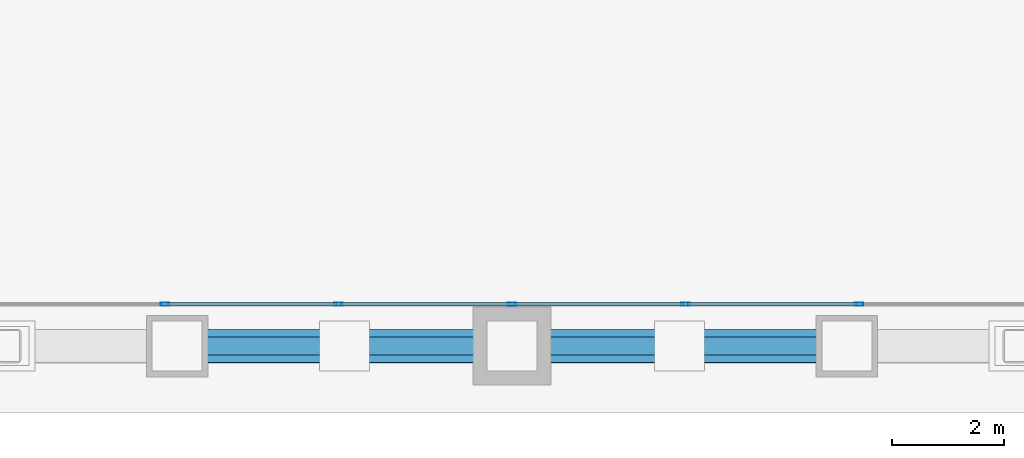
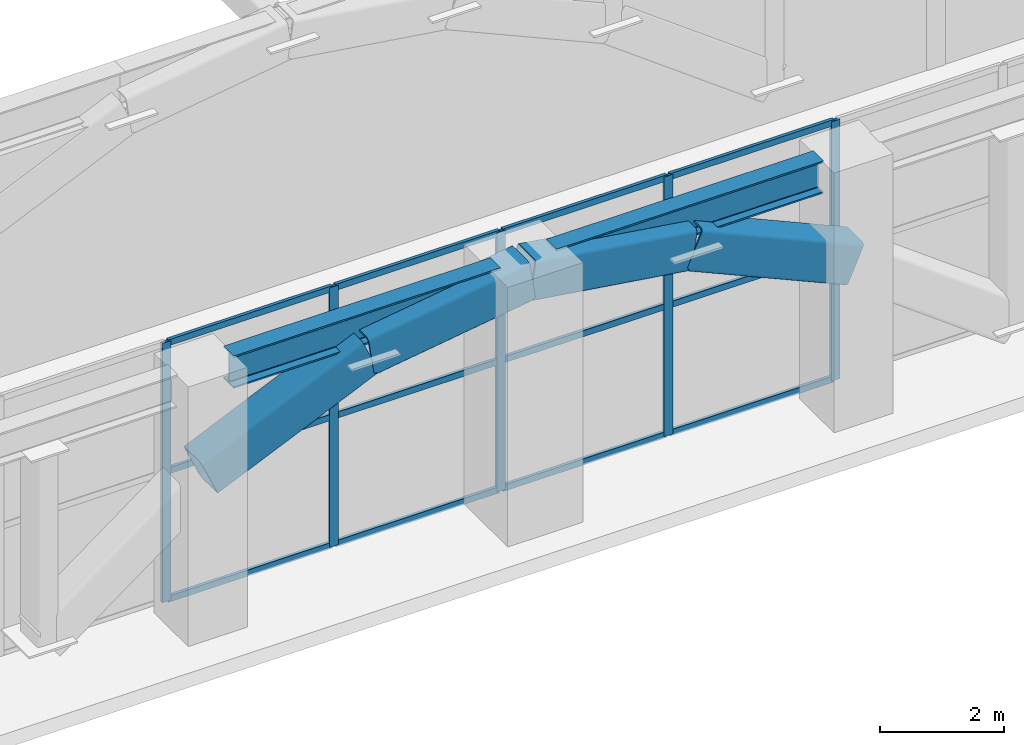
# One storey, part 7 of 32: 21 members, 2 beams, 1 element without a shape of its own.
"""IFC4 building model written with IfcOpenShell, lengths in metres."""

from ifc_helpers import new_model, si_unit, direction, frame, origin, origin_2d, place, context, subcontext, project, spatial, hollow_rectangle, i_section, extrude, material, layer, layer_set, material_profile, profile_set, type_object, element, aggregate, save


model = new_model("IFC4")

# Units and contexts
model_context = context("Model", 3, precision=1e-05, world=origin(), true_north=direction((0.0, 1.0)))
body_context = subcontext(model_context, "Body", "Model", "MODEL_VIEW")
ifc_project = project(units=[si_unit("LENGTHUNIT", "METRE"), si_unit("AREAUNIT", "SQUARE_METRE"), si_unit("VOLUMEUNIT", "CUBIC_METRE"), si_unit("PLANEANGLEUNIT", "RADIAN"), si_unit("MASSUNIT", "GRAM", prefix="KILO")], contexts=[model_context])

# Site, building, storey
site_placement = place(None, origin())
site = spatial("IfcSite", under=ifc_project, at=site_placement, CompositionType="ELEMENT")
building_placement = place(site_placement, origin())
building = spatial("IfcBuilding", under=site, at=building_placement, Name="Sarneth Arch Tower", CompositionType="ELEMENT")
storey_placement = place(building_placement, frame((0.0, 0.0, 11.39990234375)))
storey = spatial("IfcBuildingStorey", under=building, at=storey_placement, Name="L02", CompositionType="ELEMENT", Elevation=11.39990234375)

# Beams
ifc_material_1 = material(Name="Steel S355", Category="steel")
ifc_material_profile_1 = material_profile(ifc_material_1, i_section(OverallWidth=0.3291015625, OverallDepth=0.635009765625, WebThickness=0.017822265625, FlangeThickness=0.031005859375, FilletRadius=0.01904296875, at=origin_2d()), Name="W610x241")
ifc_profile_set_1 = profile_set([ifc_material_profile_1], Name="Steel S355")
beam_type = type_object("IfcBeamType", Name="BM-POD-610", PredefinedType="BEAM", material=ifc_profile_set_1)
for number, where, z_axis, x_axis, name in (
    (1, (42.52001953125, 9.199951171875, 4.78271484375), (1.0, 0.0, 0.0), (0.0, 1.0, 0.0), "L02 Podium PS girder 4"),
    (2, (48.52001953125, 9.199951171875, 4.78271484375), (1.0, 0.0, 0.0), (0.0, 1.0, 0.0), "L02 Podium PS girder 5"),
):
    element("IfcBeam", number, at=place(storey_placement, frame(where, z_axis=z_axis, x_axis=x_axis)), inside=storey, type_object=beam_type, Name=name, PredefinedType="BEAM", context=body_context, shape_type="SweptSolid", body=[
        extrude(i_section(OverallWidth=0.3291015625, OverallDepth=0.635009765625, WebThickness=0.017822265625, FlangeThickness=0.031005859375, FilletRadius=0.01904296875, at=origin_2d()), origin(), (0.0, 0.0, 1.0), 4.9599609375),
    ])

# Curtain wall, members
ifc_material_2 = material(Name="Anodised aluminium Type AA25 and solar-control low-e laminated IGU", Category="aluminium")
ifc_layer = layer(ifc_material_2, 0.199951171875)
ifc_layer_set = layer_set([ifc_layer], Name="Anodised aluminium Type AA25 and solar-control low-e laminated IGU")
curtain_wall_type = type_object("IfcCurtainWallType", Name="CW-ARCH-GLAZE", PredefinedType="NOTDEFINED", material=ifc_layer_set)
curtain_wall_placement = place(storey_placement, origin())
curtain_wall = element("IfcCurtainWall", 3, at=curtain_wall_placement, inside=storey, type_object=curtain_wall_type, Name="L02 South parabolic arch portal curtain wall", PredefinedType="NOTDEFINED")
ifc_material_3 = material(Name="Anodised Aluminium 6063-T6", Category="aluminium")
ifc_material_profile_2 = material_profile(ifc_material_3, hollow_rectangle(XDim=0.06005859375, YDim=0.159912109375, WallThickness=0.00390625, at=origin_2d()), Name="AL-MULL-160x60x4")
ifc_profile_set_2 = profile_set([ifc_material_profile_2], Name="Anodised Aluminium 6063-T6")
member_type_1 = type_object("IfcMemberType", Name="CW-MULLION", PredefinedType="MULLION", material=ifc_profile_set_2)
member_1_placement = place(storey_placement, frame((41.783447265625, 9.949951171875, 0.0), z_axis=(0.0, 0.0, 1.0), x_axis=(0.0, 1.0, 0.0)))
member_1 = element("IfcMember", 4, at=member_1_placement, type_object=member_type_1, Name="CW-SYS-2 mullion 5", PredefinedType="MULLION", context=body_context, shape_type="SweptSolid", body=[
    extrude(hollow_rectangle(XDim=0.06005859375, YDim=0.159912109375, WallThickness=0.00390625, at=origin_2d()), origin(), (0.0, 0.0, 1.0), 5.10009765625),
])
member_2_placement = place(storey_placement, frame((44.8916015625, 9.949951171875, 0.0), z_axis=(0.0, 0.0, 1.0), x_axis=(0.0, 1.0, 0.0)))
member_2 = element("IfcMember", 5, at=member_2_placement, type_object=member_type_1, Name="CW-SYS-2 mullion 6", PredefinedType="MULLION", context=body_context, shape_type="SweptSolid", body=[
    extrude(hollow_rectangle(XDim=0.06005859375, YDim=0.159912109375, WallThickness=0.00390625, at=origin_2d()), origin(), (0.0, 0.0, 1.0), 5.10009765625),
])
member_3_placement = place(storey_placement, frame((48.0, 9.949951171875, 0.0), z_axis=(0.0, 0.0, 1.0), x_axis=(0.0, 1.0, 0.0)))
member_3 = element("IfcMember", 6, at=member_3_placement, type_object=member_type_1, Name="CW-SYS-2 mullion 7", PredefinedType="MULLION", context=body_context, shape_type="SweptSolid", body=[
    extrude(hollow_rectangle(XDim=0.06005859375, YDim=0.159912109375, WallThickness=0.00390625, at=origin_2d()), origin(), (0.0, 0.0, 1.0), 5.10009765625),
])
member_4_placement = place(storey_placement, frame((51.1083984375, 9.949951171875, 0.0), z_axis=(0.0, 0.0, 1.0), x_axis=(0.0, 1.0, 0.0)))
member_4 = element("IfcMember", 7, at=member_4_placement, type_object=member_type_1, Name="CW-SYS-2 mullion 8", PredefinedType="MULLION", context=body_context, shape_type="SweptSolid", body=[
    extrude(hollow_rectangle(XDim=0.06005859375, YDim=0.159912109375, WallThickness=0.00390625, at=origin_2d()), origin(), (0.0, 0.0, 1.0), 5.10009765625),
])
member_5_placement = place(storey_placement, frame((54.216552734375, 9.949951171875, 0.0), z_axis=(0.0, 0.0, 1.0), x_axis=(0.0, 1.0, 0.0)))
member_5 = element("IfcMember", 8, at=member_5_placement, type_object=member_type_1, Name="CW-SYS-2 mullion 9", PredefinedType="MULLION", context=body_context, shape_type="SweptSolid", body=[
    extrude(hollow_rectangle(XDim=0.06005859375, YDim=0.159912109375, WallThickness=0.00390625, at=origin_2d()), origin(), (0.0, 0.0, 1.0), 5.10009765625),
])
ifc_material_4 = material(Name="Anodised Aluminium 6063-T6", Category="aluminium")
ifc_material_profile_3 = material_profile(ifc_material_4, hollow_rectangle(XDim=0.06005859375, YDim=0.1201171875, WallThickness=0.00390625, at=origin_2d()), Name="AL-TRAN-120x60x4")
ifc_profile_set_3 = profile_set([ifc_material_profile_3], Name="Anodised Aluminium 6063-T6")
member_type_2 = type_object("IfcMemberType", Name="CW-TRANSOM", PredefinedType="USERDEFINED", material=ifc_profile_set_3)
member_6_placement = place(storey_placement, frame((41.813232421875, 9.949951171875, 0.030029296875), z_axis=(1.0, 0.0, 0.0), x_axis=(0.0, 1.0, 0.0)))
member_6 = element("IfcMember", 9, at=member_6_placement, type_object=member_type_2, Name="CW-SYS-2 transom 5.1", ObjectType="TRANSOM", PredefinedType="USERDEFINED", context=body_context, shape_type="SweptSolid", body=[
    extrude(hollow_rectangle(XDim=0.06005859375, YDim=0.1201171875, WallThickness=0.00390625, at=origin_2d()), origin(), (0.0, 0.0, 1.0), 3.04833984375),
])
member_7_placement = place(storey_placement, frame((41.813232421875, 9.949951171875, 2.550048828125), z_axis=(1.0, 0.0, 0.0), x_axis=(0.0, 1.0, 0.0)))
member_7 = element("IfcMember", 10, at=member_7_placement, type_object=member_type_2, Name="CW-SYS-2 transom 5.2", ObjectType="TRANSOM", PredefinedType="USERDEFINED", context=body_context, shape_type="SweptSolid", body=[
    extrude(hollow_rectangle(XDim=0.06005859375, YDim=0.1201171875, WallThickness=0.00390625, at=origin_2d()), origin(), (0.0, 0.0, 1.0), 3.04833984375),
])
member_8_placement = place(storey_placement, frame((41.813232421875, 9.949951171875, 5.070068359375), z_axis=(1.0, 0.0, 0.0), x_axis=(0.0, 1.0, 0.0)))
member_8 = element("IfcMember", 11, at=member_8_placement, type_object=member_type_2, Name="CW-SYS-2 transom 5.3", ObjectType="TRANSOM", PredefinedType="USERDEFINED", context=body_context, shape_type="SweptSolid", body=[
    extrude(hollow_rectangle(XDim=0.06005859375, YDim=0.1201171875, WallThickness=0.00390625, at=origin_2d()), origin(), (0.0, 0.0, 1.0), 3.04833984375),
])
member_9_placement = place(storey_placement, frame((44.921630859375, 9.949951171875, 0.030029296875), z_axis=(1.0, 0.0, 0.0), x_axis=(0.0, 1.0, 0.0)))
member_9 = element("IfcMember", 12, at=member_9_placement, type_object=member_type_2, Name="CW-SYS-2 transom 6.1", ObjectType="TRANSOM", PredefinedType="USERDEFINED", context=body_context, shape_type="SweptSolid", body=[
    extrude(hollow_rectangle(XDim=0.06005859375, YDim=0.1201171875, WallThickness=0.00390625, at=origin_2d()), origin(), (0.0, 0.0, 1.0), 3.04833984375),
])
member_10_placement = place(storey_placement, frame((44.921630859375, 9.949951171875, 2.550048828125), z_axis=(1.0, 0.0, 0.0), x_axis=(0.0, 1.0, 0.0)))
member_10 = element("IfcMember", 13, at=member_10_placement, type_object=member_type_2, Name="CW-SYS-2 transom 6.2", ObjectType="TRANSOM", PredefinedType="USERDEFINED", context=body_context, shape_type="SweptSolid", body=[
    extrude(hollow_rectangle(XDim=0.06005859375, YDim=0.1201171875, WallThickness=0.00390625, at=origin_2d()), origin(), (0.0, 0.0, 1.0), 3.04833984375),
])
member_11_placement = place(storey_placement, frame((44.921630859375, 9.949951171875, 5.070068359375), z_axis=(1.0, 0.0, 0.0), x_axis=(0.0, 1.0, 0.0)))
member_11 = element("IfcMember", 14, at=member_11_placement, type_object=member_type_2, Name="CW-SYS-2 transom 6.3", ObjectType="TRANSOM", PredefinedType="USERDEFINED", context=body_context, shape_type="SweptSolid", body=[
    extrude(hollow_rectangle(XDim=0.06005859375, YDim=0.1201171875, WallThickness=0.00390625, at=origin_2d()), origin(), (0.0, 0.0, 1.0), 3.04833984375),
])
member_12_placement = place(storey_placement, frame((48.030029296875, 9.949951171875, 0.030029296875), z_axis=(1.0, 0.0, 0.0), x_axis=(0.0, 1.0, 0.0)))
member_12 = element("IfcMember", 15, at=member_12_placement, type_object=member_type_2, Name="CW-SYS-2 transom 7.1", ObjectType="TRANSOM", PredefinedType="USERDEFINED", context=body_context, shape_type="SweptSolid", body=[
    extrude(hollow_rectangle(XDim=0.06005859375, YDim=0.1201171875, WallThickness=0.00390625, at=origin_2d()), origin(), (0.0, 0.0, 1.0), 3.04833984375),
])
member_13_placement = place(storey_placement, frame((48.030029296875, 9.949951171875, 2.550048828125), z_axis=(1.0, 0.0, 0.0), x_axis=(0.0, 1.0, 0.0)))
member_13 = element("IfcMember", 16, at=member_13_placement, type_object=member_type_2, Name="CW-SYS-2 transom 7.2", ObjectType="TRANSOM", PredefinedType="USERDEFINED", context=body_context, shape_type="SweptSolid", body=[
    extrude(hollow_rectangle(XDim=0.06005859375, YDim=0.1201171875, WallThickness=0.00390625, at=origin_2d()), origin(), (0.0, 0.0, 1.0), 3.04833984375),
])
member_14_placement = place(storey_placement, frame((48.030029296875, 9.949951171875, 5.070068359375), z_axis=(1.0, 0.0, 0.0), x_axis=(0.0, 1.0, 0.0)))
member_14 = element("IfcMember", 17, at=member_14_placement, type_object=member_type_2, Name="CW-SYS-2 transom 7.3", ObjectType="TRANSOM", PredefinedType="USERDEFINED", context=body_context, shape_type="SweptSolid", body=[
    extrude(hollow_rectangle(XDim=0.06005859375, YDim=0.1201171875, WallThickness=0.00390625, at=origin_2d()), origin(), (0.0, 0.0, 1.0), 3.04833984375),
])
member_15_placement = place(storey_placement, frame((51.138427734375, 9.949951171875, 0.030029296875), z_axis=(1.0, 0.0, 0.0), x_axis=(0.0, 1.0, 0.0)))
member_15 = element("IfcMember", 18, at=member_15_placement, type_object=member_type_2, Name="CW-SYS-2 transom 8.1", ObjectType="TRANSOM", PredefinedType="USERDEFINED", context=body_context, shape_type="SweptSolid", body=[
    extrude(hollow_rectangle(XDim=0.06005859375, YDim=0.1201171875, WallThickness=0.00390625, at=origin_2d()), origin(), (0.0, 0.0, 1.0), 3.04833984375),
])
member_16_placement = place(storey_placement, frame((51.138427734375, 9.949951171875, 2.550048828125), z_axis=(1.0, 0.0, 0.0), x_axis=(0.0, 1.0, 0.0)))
member_16 = element("IfcMember", 19, at=member_16_placement, type_object=member_type_2, Name="CW-SYS-2 transom 8.2", ObjectType="TRANSOM", PredefinedType="USERDEFINED", context=body_context, shape_type="SweptSolid", body=[
    extrude(hollow_rectangle(XDim=0.06005859375, YDim=0.1201171875, WallThickness=0.00390625, at=origin_2d()), origin(), (0.0, 0.0, 1.0), 3.04833984375),
])
member_17_placement = place(storey_placement, frame((51.138427734375, 9.949951171875, 5.070068359375), z_axis=(1.0, 0.0, 0.0), x_axis=(0.0, 1.0, 0.0)))
member_17 = element("IfcMember", 20, at=member_17_placement, type_object=member_type_2, Name="CW-SYS-2 transom 8.3", ObjectType="TRANSOM", PredefinedType="USERDEFINED", context=body_context, shape_type="SweptSolid", body=[
    extrude(hollow_rectangle(XDim=0.06005859375, YDim=0.1201171875, WallThickness=0.00390625, at=origin_2d()), origin(), (0.0, 0.0, 1.0), 3.04833984375),
])
aggregate(curtain_wall, [member_1, member_2, member_3, member_4, member_5, member_6, member_7, member_8, member_9, member_10, member_11, member_12, member_13, member_14, member_15, member_16, member_17])

# Members
ifc_material_5 = material(Name="Steel S355", Category="steel")
ifc_material_profile_4 = material_profile(ifc_material_5, hollow_rectangle(XDim=0.60009765625, YDim=0.800048828125, WallThickness=0.028076171875, InnerFilletRadius=0.0419921875, OuterFilletRadius=0.070068359375, at=origin_2d()), Name="RHS800x600x28")
ifc_profile_set_4 = profile_set([ifc_material_profile_4], Name="Steel S355")
member_type_3 = type_object("IfcMemberType", Name="MEM-ARCH-CHORD", PredefinedType="CHORD", material=ifc_profile_set_4)
member_18_placement = place(storey_placement, frame((42.0, 9.199951171875, 2.9501953125), z_axis=(0.914069035587, 0.0, 0.405558624839), x_axis=(0.0, 1.0, 0.0)))
element("IfcMember", 21, at=member_18_placement, inside=storey, type_object=member_type_3, Name="Podium parabolic arch rib 1 segment 5", PredefinedType="CHORD", context=body_context, shape_type="SweptSolid", body=[
    extrude(hollow_rectangle(XDim=0.60009765625, YDim=0.800048828125, WallThickness=0.028076171875, InnerFilletRadius=0.0419921875, OuterFilletRadius=0.070068359375, at=origin_2d()), origin(), (0.0, 0.0, 1.0), 3.281982421875),
])
for number, where, z_axis, x_axis, name in (
    (22, (45.0, 9.199951171875, 4.28125), (0.98923197117, 0.0, 0.146356097297), (0.0, 1.0, 0.0), "Podium parabolic arch rib 1 segment 6"),
    (23, (48.0, 9.199951171875, 4.72509765625), (0.98923197117, 0.0, -0.146356097297), (0.0, 1.0, 0.0), "Podium parabolic arch rib 1 segment 7"),
):
    element("IfcMember", number, at=place(storey_placement, frame(where, z_axis=z_axis, x_axis=x_axis)), inside=storey, type_object=member_type_3, Name=name, PredefinedType="CHORD", context=body_context, shape_type="SweptSolid", body=[
        extrude(hollow_rectangle(XDim=0.60009765625, YDim=0.800048828125, WallThickness=0.028076171875, InnerFilletRadius=0.0419921875, OuterFilletRadius=0.070068359375, at=origin_2d()), origin(), (0.0, 0.0, 1.0), 3.03271484375),
    ])
member_19_placement = place(storey_placement, frame((51.0, 9.199951171875, 4.28125), z_axis=(0.914069035587, 0.0, -0.405558624839), x_axis=(0.0, 1.0, 0.0)))
element("IfcMember", 24, at=member_19_placement, inside=storey, type_object=member_type_3, Name="Podium parabolic arch rib 1 segment 8", PredefinedType="CHORD", context=body_context, shape_type="SweptSolid", body=[
    extrude(hollow_rectangle(XDim=0.60009765625, YDim=0.800048828125, WallThickness=0.028076171875, InnerFilletRadius=0.0419921875, OuterFilletRadius=0.070068359375, at=origin_2d()), origin(), (0.0, 0.0, 1.0), 3.281982421875),
])

save(model, "model.ifc")
